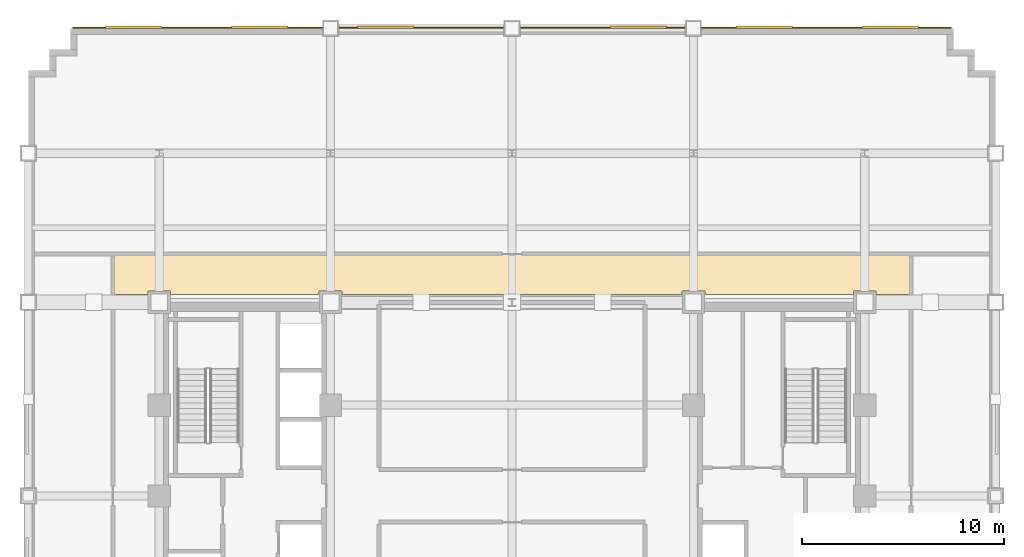
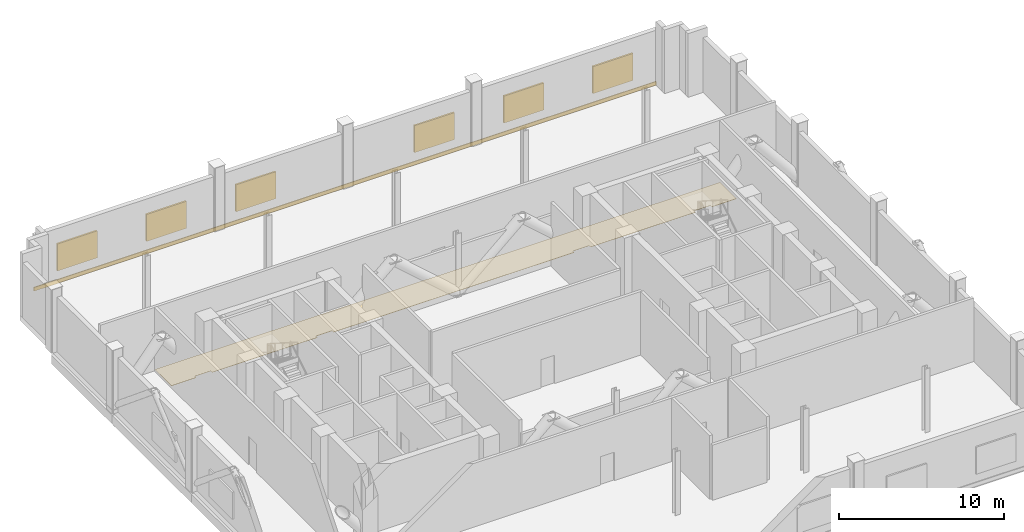
# One storey, part 12 of 12: 6 shading devices, 2 coverings.
"""IFC4 building model written with IfcOpenShell, lengths in metres."""

from ifc_helpers import new_model, si_unit, direction, frame, origin, origin_2d, place, context, subcontext, project, spatial, polyline, rectangle, outline, extrude, source, transform, mapped, material, layer, layer_set, type_object, type_shapes, element, save


model = new_model("IFC4")

# Units and contexts
model_context = context("Model", 3, precision=1e-05, world=origin(), true_north=direction((0.0, 1.0)))
body_context = subcontext(model_context, "Body", "Model", "MODEL_VIEW")
ifc_project = project(units=[si_unit("LENGTHUNIT", "METRE"), si_unit("AREAUNIT", "SQUARE_METRE"), si_unit("VOLUMEUNIT", "CUBIC_METRE"), si_unit("PLANEANGLEUNIT", "RADIAN"), si_unit("MASSUNIT", "GRAM", prefix="KILO")], contexts=[model_context])

# Site, building, storey
site_placement = place(None, origin())
site = spatial("IfcSite", under=ifc_project, at=site_placement, CompositionType="ELEMENT")
building_placement = place(site_placement, origin())
building = spatial("IfcBuilding", under=site, at=building_placement, Name="Nuvemarco Arch Tower", CompositionType="ELEMENT")
storey_placement = place(building_placement, frame((0.0, 0.0, 93.300048828125)))
storey = spatial("IfcBuildingStorey", under=building, at=storey_placement, Name="L24", CompositionType="ELEMENT", Elevation=93.300048828125)

# Coverings
ifc_material_1 = material(Name="Polished granite terrazzostone flooring", Category="masonry")
ifc_layer_1 = layer(ifc_material_1, 0.02001953125, Name="COV-LOBBY-FLR")
ifc_layer_set_1 = layer_set([ifc_layer_1], Name="Polished granite terrazzostone flooring")
covering_type_1 = type_object("IfcCoveringType", Name="COV-LOBBY-FLR", PredefinedType="FLOORING", material=ifc_layer_set_1)
covering_1_placement = place(storey_placement, origin())
element("IfcCovering", 1, at=covering_1_placement, inside=storey, type_object=covering_type_1, Name="L24 polished terrazzo lobby flooring", PredefinedType="FLOORING", context=body_context, shape_type="SweptSolid", body=[
    extrude(outline(polyline([(-19.800048828125, 12.0), (-17.5, 12.0), (-9.0, 12.0), (-6.60009765625, 12.0), (6.60009765625, 12.0), (9.0, 12.0), (17.5, 12.0), (19.800048828125, 12.0), (19.800048828125, 10.0), (18.06494140625, 10.0), (18.06494140625, 10.1650390625), (16.93505859375, 10.1650390625), (16.93505859375, 10.0), (9.56494140625, 10.0), (9.56494140625, 10.1650390625), (8.43505859375, 10.1650390625), (8.43505859375, 10.0), (-8.43505859375, 10.0), (-8.43505859375, 10.1650390625), (-9.56494140625, 10.1650390625), (-9.56494140625, 10.0), (-16.93505859375, 10.0), (-16.93505859375, 10.1650390625), (-18.06494140625, 10.1650390625), (-18.06494140625, 10.0), (-19.800048828125, 10.0), (-19.800048828125, 12.0)])), origin(), (0.0, 0.0, 1.0), 0.02001953125),
])
ifc_material_2 = material(Name="Precast concrete C45/55", Category="concrete")
ifc_layer_2 = layer(ifc_material_2, 0.06005859375, Name="COV-SPANDREL-CLAD")
ifc_layer_set_2 = layer_set([ifc_layer_2], Name="Precast concrete C45/55")
covering_type_2 = type_object("IfcCoveringType", Name="COV-SPANDREL-CLAD", PredefinedType="CLADDING", material=ifc_layer_set_2)
shared_shape_1 = source(origin(), body_context, "Body", "SweptSolid", [
    extrude(rectangle(XDim=43.60009765625, YDim=0.06005859375, at=origin_2d()), origin(), (0.0, 0.0, 1.0), 0.280029296875),
])
type_shapes(covering_type_2, [shared_shape_1])
covering_2_placement = place(storey_placement, frame((0.0, 23.22900390625, -0.2802734375), z_axis=(0.0, 0.0, 1.0), x_axis=(1.0, 0.0, 0.0)))
element("IfcCovering", 2, at=covering_2_placement, inside=storey, type_object=covering_type_2, Name="L24 precast spandrel edge cladding north", PredefinedType="CLADDING", context=body_context, shape_type="MappedRepresentation", body=[
    mapped(shared_shape_1, transform((0.0, 0.0, 0.0), scale=1.0)),
])

# Shading devices
ifc_material_3 = material(Name="Anodised aluminium 6063-T6", Category="aluminium")
shading_device_type = type_object("IfcShadingDeviceType", Name="SHD-LOUVRE-PLANT", PredefinedType="JALOUSIE", material=ifc_material_3)
shared_shape_2 = source(origin(), body_context, "Body", "SweptSolid", [
    extrude(rectangle(XDim=2.800048828125, YDim=0.1201171875, at=origin_2d()), origin(), (0.0, 0.0, 1.0), 2.0),
])
type_shapes(shading_device_type, [shared_shape_2])
for number, where, z_axis, x_axis, name in (
    (3, (-18.771484375, 23.2548828125, 0.64990234375), (0.0, 0.0, 1.0), (1.0, 0.0, 0.0), "L24 acoustic plant louvre panel 1"),
    (4, (-12.514404296875, 23.2548828125, 0.64990234375), (0.0, 0.0, 1.0), (1.0, 0.0, 0.0), "L24 acoustic plant louvre panel 2"),
    (5, (-6.257080078125, 23.2548828125, 0.64990234375), (0.0, 0.0, 1.0), (1.0, 0.0, 0.0), "L24 acoustic plant louvre panel 3"),
    (6, (6.257080078125, 23.2548828125, 0.64990234375), (0.0, 0.0, 1.0), (1.0, 0.0, 0.0), "L24 acoustic plant louvre panel 5"),
    (7, (12.514404296875, 23.2548828125, 0.64990234375), (0.0, 0.0, 1.0), (1.0, 0.0, 0.0), "L24 acoustic plant louvre panel 6"),
    (8, (18.771484375, 23.2548828125, 0.64990234375), (0.0, 0.0, 1.0), (1.0, 0.0, 0.0), "L24 acoustic plant louvre panel 7"),
):
    element("IfcShadingDevice", number, at=place(storey_placement, frame(where, z_axis=z_axis, x_axis=x_axis)), inside=storey, type_object=shading_device_type, Name=name, PredefinedType="JALOUSIE", context=body_context, shape_type="MappedRepresentation", body=[
        mapped(shared_shape_2, transform((0.0, 0.0, 0.0), scale=1.0)),
    ])

save(model, "model.ifc")
